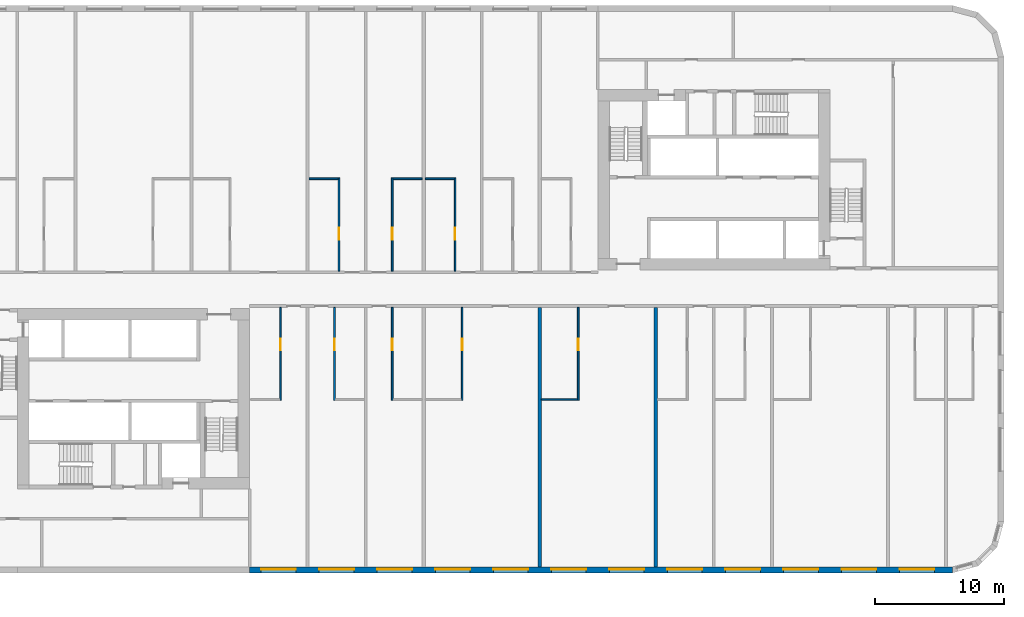
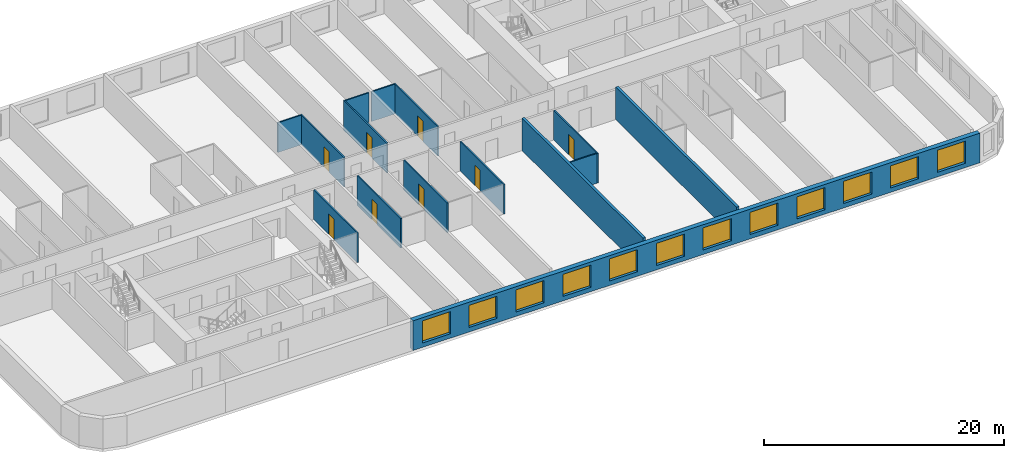
# One storey, part 4 of 12: 15 walls, 12 windows, 8 doors, 20 openings.
"""IFC4 building model written with IfcOpenShell, lengths in metres."""

from ifc_helpers import new_model, si_unit, direction, frame, frame_2d, origin, place, context, subcontext, project, spatial, rectangle, extrude, material, layer, layer_set, type_object, element, fill, save


model = new_model("IFC4")

# Units and contexts
model_context = context("Model", 3, precision=1e-05, world=origin(), true_north=direction((0.0, 1.0)))
body_context = subcontext(model_context, "Body", "Model", "MODEL_VIEW")
ifc_project = project(units=[si_unit("LENGTHUNIT", "METRE"), si_unit("AREAUNIT", "SQUARE_METRE"), si_unit("VOLUMEUNIT", "CUBIC_METRE"), si_unit("PLANEANGLEUNIT", "RADIAN"), si_unit("MASSUNIT", "GRAM", prefix="KILO")], contexts=[model_context])

# Site, building, storey
site_placement = place(None, origin())
site = spatial("IfcSite", under=ifc_project, at=site_placement, CompositionType="ELEMENT")
building_placement = place(site_placement, origin())
building = spatial("IfcBuilding", under=site, at=building_placement, Name="Kajstack Hotel Tower", CompositionType="ELEMENT")
storey_placement = place(building_placement, frame((0.0, 0.0, 76.5)))
storey = spatial("IfcBuildingStorey", under=building, at=storey_placement, Name="L14", CompositionType="ELEMENT", Elevation=76.5)

# Wall, openings, windows
ifc_material_1 = material(Name="Terracotta-faced brick masonry", Category="masonry")
ifc_layer_1 = layer(ifc_material_1, 0.449951171875)
ifc_layer_set_1 = layer_set([ifc_layer_1], Name="EW-TERRA")
wall_type_1 = type_object("IfcWallType", Name="EW-TERRA", PredefinedType="SOLIDWALL", material=ifc_layer_set_1)
wall_1_placement = place(storey_placement, frame((-13.5, -21.77490234375, 0.0), z_axis=(0.0, 0.0, 1.0), x_axis=(1.0, 0.0, 0.0)))
wall_1 = element("IfcWall", 1, at=wall_1_placement, inside=storey, type_object=wall_type_1, Name="E-wall-L14-03-02", PredefinedType="SOLIDWALL", context=body_context, shape_type="SweptSolid", body=[
    extrude(rectangle(XDim=54.5, YDim=0.449951171875, at=frame_2d((27.25, 0.0))), origin(), (0.0, 0.0, 1.0), 3.02001953125),
])
opening_1_placement = place(wall_1_placement, frame((0.89990234375, 0.0, 0.449951171875)))
opening_1 = element("IfcOpeningElement", 2, at=opening_1_placement, cuts=wall_1, Name="Opening W1", PredefinedType="OPENING", context=body_context, shape_type="SweptSolid", body=[
    extrude(rectangle(XDim=2.699951171875, YDim=2.25, at=frame_2d((1.35009765625, 1.125))), frame((0.0, 0.23486328125, 0.0), z_axis=(0.0, -1.0, 0.0), x_axis=(1.0, 0.0, 0.0)), (0.0, 0.0, 1.0), 0.469970703125),
])
opening_2_placement = place(wall_1_placement, frame((5.39990234375, 0.0, 0.449951171875)))
opening_2 = element("IfcOpeningElement", 3, at=opening_2_placement, cuts=wall_1, Name="Opening W1", PredefinedType="OPENING", context=body_context, shape_type="SweptSolid", body=[
    extrude(rectangle(XDim=2.699951171875, YDim=2.25, at=frame_2d((1.35009765625, 1.125))), frame((0.0, 0.23486328125, 0.0), z_axis=(0.0, -1.0, 0.0), x_axis=(1.0, 0.0, 0.0)), (0.0, 0.0, 1.0), 0.469970703125),
])
opening_3_placement = place(wall_1_placement, frame((9.89990234375, 0.0, 0.449951171875)))
opening_3 = element("IfcOpeningElement", 4, at=opening_3_placement, cuts=wall_1, Name="Opening W1", PredefinedType="OPENING", context=body_context, shape_type="SweptSolid", body=[
    extrude(rectangle(XDim=2.699951171875, YDim=2.25, at=frame_2d((1.35009765625, 1.125))), frame((0.0, 0.23486328125, 0.0), z_axis=(0.0, -1.0, 0.0), x_axis=(1.0, 0.0, 0.0)), (0.0, 0.0, 1.0), 0.469970703125),
])
opening_4_placement = place(wall_1_placement, frame((14.39990234375, 0.0, 0.449951171875)))
opening_4 = element("IfcOpeningElement", 5, at=opening_4_placement, cuts=wall_1, Name="Opening W1", PredefinedType="OPENING", context=body_context, shape_type="SweptSolid", body=[
    extrude(rectangle(XDim=2.699951171875, YDim=2.25, at=frame_2d((1.35009765625, 1.125))), frame((0.0, 0.23486328125, 0.0), z_axis=(0.0, -1.0, 0.0), x_axis=(1.0, 0.0, 0.0)), (0.0, 0.0, 1.0), 0.469970703125),
])
opening_5_placement = place(wall_1_placement, frame((18.89990234375, 0.0, 0.449951171875)))
opening_5 = element("IfcOpeningElement", 6, at=opening_5_placement, cuts=wall_1, Name="Opening W1", PredefinedType="OPENING", context=body_context, shape_type="SweptSolid", body=[
    extrude(rectangle(XDim=2.699951171875, YDim=2.25, at=frame_2d((1.35009765625, 1.125))), frame((0.0, 0.23486328125, 0.0), z_axis=(0.0, -1.0, 0.0), x_axis=(1.0, 0.0, 0.0)), (0.0, 0.0, 1.0), 0.469970703125),
])
opening_6_placement = place(wall_1_placement, frame((23.39990234375, 0.0, 0.449951171875)))
opening_6 = element("IfcOpeningElement", 7, at=opening_6_placement, cuts=wall_1, Name="Opening W1", PredefinedType="OPENING", context=body_context, shape_type="SweptSolid", body=[
    extrude(rectangle(XDim=2.699951171875, YDim=2.25, at=frame_2d((1.35009765625, 1.125))), frame((0.0, 0.23486328125, 0.0), z_axis=(0.0, -1.0, 0.0), x_axis=(1.0, 0.0, 0.0)), (0.0, 0.0, 1.0), 0.469970703125),
])
opening_7_placement = place(wall_1_placement, frame((27.89990234375, 0.0, 0.449951171875)))
opening_7 = element("IfcOpeningElement", 8, at=opening_7_placement, cuts=wall_1, Name="Opening W1", PredefinedType="OPENING", context=body_context, shape_type="SweptSolid", body=[
    extrude(rectangle(XDim=2.699951171875, YDim=2.25, at=frame_2d((1.35009765625, 1.125))), frame((0.0, 0.23486328125, 0.0), z_axis=(0.0, -1.0, 0.0), x_axis=(1.0, 0.0, 0.0)), (0.0, 0.0, 1.0), 0.469970703125),
])
opening_8_placement = place(wall_1_placement, frame((32.39990234375, 0.0, 0.449951171875)))
opening_8 = element("IfcOpeningElement", 9, at=opening_8_placement, cuts=wall_1, Name="Opening W1", PredefinedType="OPENING", context=body_context, shape_type="SweptSolid", body=[
    extrude(rectangle(XDim=2.699951171875, YDim=2.25, at=frame_2d((1.35009765625, 1.125))), frame((0.0, 0.23486328125, 0.0), z_axis=(0.0, -1.0, 0.0), x_axis=(1.0, 0.0, 0.0)), (0.0, 0.0, 1.0), 0.469970703125),
])
opening_9_placement = place(wall_1_placement, frame((36.89990234375, 0.0, 0.449951171875)))
opening_9 = element("IfcOpeningElement", 10, at=opening_9_placement, cuts=wall_1, Name="Opening W1", PredefinedType="OPENING", context=body_context, shape_type="SweptSolid", body=[
    extrude(rectangle(XDim=2.699951171875, YDim=2.25, at=frame_2d((1.35009765625, 1.125))), frame((0.0, 0.23486328125, 0.0), z_axis=(0.0, -1.0, 0.0), x_axis=(1.0, 0.0, 0.0)), (0.0, 0.0, 1.0), 0.469970703125),
])
opening_10_placement = place(wall_1_placement, frame((41.39990234375, 0.0, 0.449951171875)))
opening_10 = element("IfcOpeningElement", 11, at=opening_10_placement, cuts=wall_1, Name="Opening W1", PredefinedType="OPENING", context=body_context, shape_type="SweptSolid", body=[
    extrude(rectangle(XDim=2.699951171875, YDim=2.25, at=frame_2d((1.35009765625, 1.125))), frame((0.0, 0.23486328125, 0.0), z_axis=(0.0, -1.0, 0.0), x_axis=(1.0, 0.0, 0.0)), (0.0, 0.0, 1.0), 0.469970703125),
])
opening_11_placement = place(wall_1_placement, frame((45.89990234375, 0.0, 0.449951171875)))
opening_11 = element("IfcOpeningElement", 12, at=opening_11_placement, cuts=wall_1, Name="Opening W1", PredefinedType="OPENING", context=body_context, shape_type="SweptSolid", body=[
    extrude(rectangle(XDim=2.699951171875, YDim=2.25, at=frame_2d((1.35009765625, 1.125))), frame((0.0, 0.23486328125, 0.0), z_axis=(0.0, -1.0, 0.0), x_axis=(1.0, 0.0, 0.0)), (0.0, 0.0, 1.0), 0.469970703125),
])
opening_12_placement = place(wall_1_placement, frame((50.39990234375, 0.0, 0.449951171875)))
opening_12 = element("IfcOpeningElement", 13, at=opening_12_placement, cuts=wall_1, Name="Opening W1", PredefinedType="OPENING", context=body_context, shape_type="SweptSolid", body=[
    extrude(rectangle(XDim=2.699951171875, YDim=2.25, at=frame_2d((1.35009765625, 1.125))), frame((0.0, 0.23486328125, 0.0), z_axis=(0.0, -1.0, 0.0), x_axis=(1.0, 0.0, 0.0)), (0.0, 0.0, 1.0), 0.469970703125),
])
ifc_material_2 = material(Name="Timber-aluminium window, triple glazed", Category="wood")
window_type = type_object("IfcWindowType", Name="WG1", PartitioningType="SINGLE_PANEL", PredefinedType="WINDOW", material=ifc_material_2)
window_1_placement = place(opening_1_placement, origin())
window_1 = element("IfcWindow", 14, at=window_1_placement, inside=storey, type_object=window_type, Name="Window W1 L14-03", OverallHeight=2.25, OverallWidth=2.699951171875, PartitioningType="SINGLE_PANEL", PredefinedType="WINDOW", context=body_context, shape_type="SweptSolid", body=[
    extrude(rectangle(XDim=2.699951171875, YDim=2.25, at=frame_2d((1.35009765625, 1.125))), frame((0.0, 0.090087890625, 0.0), z_axis=(0.0, -1.0, 0.0), x_axis=(1.0, 0.0, 0.0)), (0.0, 0.0, 1.0), 0.06005859375),
])
fill(opening_1, window_1)
window_2_placement = place(opening_2_placement, origin())
window_2 = element("IfcWindow", 15, at=window_2_placement, inside=storey, type_object=window_type, Name="Window W1 L14-03", OverallHeight=2.25, OverallWidth=2.699951171875, PartitioningType="SINGLE_PANEL", PredefinedType="WINDOW", context=body_context, shape_type="SweptSolid", body=[
    extrude(rectangle(XDim=2.699951171875, YDim=2.25, at=frame_2d((1.35009765625, 1.125))), frame((0.0, 0.090087890625, 0.0), z_axis=(0.0, -1.0, 0.0), x_axis=(1.0, 0.0, 0.0)), (0.0, 0.0, 1.0), 0.06005859375),
])
fill(opening_2, window_2)
window_3_placement = place(opening_3_placement, origin())
window_3 = element("IfcWindow", 16, at=window_3_placement, inside=storey, type_object=window_type, Name="Window W1 L14-03", OverallHeight=2.25, OverallWidth=2.699951171875, PartitioningType="SINGLE_PANEL", PredefinedType="WINDOW", context=body_context, shape_type="SweptSolid", body=[
    extrude(rectangle(XDim=2.699951171875, YDim=2.25, at=frame_2d((1.35009765625, 1.125))), frame((0.0, 0.090087890625, 0.0), z_axis=(0.0, -1.0, 0.0), x_axis=(1.0, 0.0, 0.0)), (0.0, 0.0, 1.0), 0.06005859375),
])
fill(opening_3, window_3)
window_4_placement = place(opening_4_placement, origin())
window_4 = element("IfcWindow", 17, at=window_4_placement, inside=storey, type_object=window_type, Name="Window W1 L14-03", OverallHeight=2.25, OverallWidth=2.699951171875, PartitioningType="SINGLE_PANEL", PredefinedType="WINDOW", context=body_context, shape_type="SweptSolid", body=[
    extrude(rectangle(XDim=2.699951171875, YDim=2.25, at=frame_2d((1.35009765625, 1.125))), frame((0.0, 0.090087890625, 0.0), z_axis=(0.0, -1.0, 0.0), x_axis=(1.0, 0.0, 0.0)), (0.0, 0.0, 1.0), 0.06005859375),
])
fill(opening_4, window_4)
window_5_placement = place(opening_5_placement, origin())
window_5 = element("IfcWindow", 18, at=window_5_placement, inside=storey, type_object=window_type, Name="Window W1 L14-03", OverallHeight=2.25, OverallWidth=2.699951171875, PartitioningType="SINGLE_PANEL", PredefinedType="WINDOW", context=body_context, shape_type="SweptSolid", body=[
    extrude(rectangle(XDim=2.699951171875, YDim=2.25, at=frame_2d((1.35009765625, 1.125))), frame((0.0, 0.090087890625, 0.0), z_axis=(0.0, -1.0, 0.0), x_axis=(1.0, 0.0, 0.0)), (0.0, 0.0, 1.0), 0.06005859375),
])
fill(opening_5, window_5)
window_6_placement = place(opening_6_placement, origin())
window_6 = element("IfcWindow", 19, at=window_6_placement, inside=storey, type_object=window_type, Name="Window W1 L14-03", OverallHeight=2.25, OverallWidth=2.699951171875, PartitioningType="SINGLE_PANEL", PredefinedType="WINDOW", context=body_context, shape_type="SweptSolid", body=[
    extrude(rectangle(XDim=2.699951171875, YDim=2.25, at=frame_2d((1.35009765625, 1.125))), frame((0.0, 0.090087890625, 0.0), z_axis=(0.0, -1.0, 0.0), x_axis=(1.0, 0.0, 0.0)), (0.0, 0.0, 1.0), 0.06005859375),
])
fill(opening_6, window_6)
window_7_placement = place(opening_7_placement, origin())
window_7 = element("IfcWindow", 20, at=window_7_placement, inside=storey, type_object=window_type, Name="Window W1 L14-03", OverallHeight=2.25, OverallWidth=2.699951171875, PartitioningType="SINGLE_PANEL", PredefinedType="WINDOW", context=body_context, shape_type="SweptSolid", body=[
    extrude(rectangle(XDim=2.699951171875, YDim=2.25, at=frame_2d((1.35009765625, 1.125))), frame((0.0, 0.090087890625, 0.0), z_axis=(0.0, -1.0, 0.0), x_axis=(1.0, 0.0, 0.0)), (0.0, 0.0, 1.0), 0.06005859375),
])
fill(opening_7, window_7)
window_8_placement = place(opening_8_placement, origin())
window_8 = element("IfcWindow", 21, at=window_8_placement, inside=storey, type_object=window_type, Name="Window W1 L14-03", OverallHeight=2.25, OverallWidth=2.699951171875, PartitioningType="SINGLE_PANEL", PredefinedType="WINDOW", context=body_context, shape_type="SweptSolid", body=[
    extrude(rectangle(XDim=2.699951171875, YDim=2.25, at=frame_2d((1.35009765625, 1.125))), frame((0.0, 0.090087890625, 0.0), z_axis=(0.0, -1.0, 0.0), x_axis=(1.0, 0.0, 0.0)), (0.0, 0.0, 1.0), 0.06005859375),
])
fill(opening_8, window_8)
window_9_placement = place(opening_9_placement, origin())
window_9 = element("IfcWindow", 22, at=window_9_placement, inside=storey, type_object=window_type, Name="Window W1 L14-03", OverallHeight=2.25, OverallWidth=2.699951171875, PartitioningType="SINGLE_PANEL", PredefinedType="WINDOW", context=body_context, shape_type="SweptSolid", body=[
    extrude(rectangle(XDim=2.699951171875, YDim=2.25, at=frame_2d((1.35009765625, 1.125))), frame((0.0, 0.090087890625, 0.0), z_axis=(0.0, -1.0, 0.0), x_axis=(1.0, 0.0, 0.0)), (0.0, 0.0, 1.0), 0.06005859375),
])
fill(opening_9, window_9)
window_10_placement = place(opening_10_placement, origin())
window_10 = element("IfcWindow", 23, at=window_10_placement, inside=storey, type_object=window_type, Name="Window W1 L14-03", OverallHeight=2.25, OverallWidth=2.699951171875, PartitioningType="SINGLE_PANEL", PredefinedType="WINDOW", context=body_context, shape_type="SweptSolid", body=[
    extrude(rectangle(XDim=2.699951171875, YDim=2.25, at=frame_2d((1.35009765625, 1.125))), frame((0.0, 0.090087890625, 0.0), z_axis=(0.0, -1.0, 0.0), x_axis=(1.0, 0.0, 0.0)), (0.0, 0.0, 1.0), 0.06005859375),
])
fill(opening_10, window_10)
window_11_placement = place(opening_11_placement, origin())
window_11 = element("IfcWindow", 24, at=window_11_placement, inside=storey, type_object=window_type, Name="Window W1 L14-03", OverallHeight=2.25, OverallWidth=2.699951171875, PartitioningType="SINGLE_PANEL", PredefinedType="WINDOW", context=body_context, shape_type="SweptSolid", body=[
    extrude(rectangle(XDim=2.699951171875, YDim=2.25, at=frame_2d((1.35009765625, 1.125))), frame((0.0, 0.090087890625, 0.0), z_axis=(0.0, -1.0, 0.0), x_axis=(1.0, 0.0, 0.0)), (0.0, 0.0, 1.0), 0.06005859375),
])
fill(opening_11, window_11)
window_12_placement = place(opening_12_placement, origin())
window_12 = element("IfcWindow", 25, at=window_12_placement, inside=storey, type_object=window_type, Name="Window W1 L14-03", OverallHeight=2.25, OverallWidth=2.699951171875, PartitioningType="SINGLE_PANEL", PredefinedType="WINDOW", context=body_context, shape_type="SweptSolid", body=[
    extrude(rectangle(XDim=2.699951171875, YDim=2.25, at=frame_2d((1.35009765625, 1.125))), frame((0.0, 0.090087890625, 0.0), z_axis=(0.0, -1.0, 0.0), x_axis=(1.0, 0.0, 0.0)), (0.0, 0.0, 1.0), 0.06005859375),
])
fill(opening_12, window_12)

# Wall, opening, door
ifc_material_3 = material(Name="Gypsum board and tiled backer on steel studs", Category="steel")
ifc_layer_2 = layer(ifc_material_3, 0.125)
ifc_layer_set_2 = layer_set([ifc_layer_2], Name="En-suite wall 125")
wall_type_2 = type_object("IfcWallType", Name="En-suite wall 125", PredefinedType="PARTITIONING", material=ifc_layer_set_2)
wall_2_placement = place(storey_placement, frame((-6.56201171875, 1.39990234375, 0.0), z_axis=(0.0, 0.0, 1.0), x_axis=(0.0, 1.0, 0.0)))
wall_2 = element("IfcWall", 26, at=wall_2_placement, inside=storey, type_object=wall_type_2, Name="G-wall-L14-018", PredefinedType="PARTITIONING", context=body_context, shape_type="SweptSolid", body=[
    extrude(rectangle(XDim=7.22509765625, YDim=0.125, at=frame_2d((3.612548828125, 0.0))), origin(), (0.0, 0.0, 1.0), 3.02001953125),
])
opening_13_placement = place(wall_2_placement, frame((2.449951171875, 0.0, 0.0)))
opening_13 = element("IfcOpeningElement", 27, at=opening_13_placement, cuts=wall_2, Name="Opening 14014", PredefinedType="OPENING", context=body_context, shape_type="SweptSolid", body=[
    extrude(rectangle(XDim=0.89990234375, YDim=2.10009765625, at=frame_2d((0.449951171875, 1.050048828125))), frame((0.0, 0.072509765625, 0.0), z_axis=(0.0, -1.0, 0.0), x_axis=(1.0, 0.0, 0.0)), (0.0, 0.0, 1.0), 0.14501953125),
])
ifc_material_4 = material(Name="Painted timber door leaf", Category="wood")
door_type = type_object("IfcDoorType", Name="Room door 900", OperationType="SINGLE_SWING_LEFT", PredefinedType="DOOR", material=ifc_material_4)
door_1_placement = place(opening_13_placement, origin())
door_1 = element("IfcDoor", 28, at=door_1_placement, inside=storey, type_object=door_type, Name="G-door-L14-14", OperationType="SINGLE_SWING_LEFT", OverallHeight=2.10009765625, OverallWidth=0.89990234375, PredefinedType="DOOR", context=body_context, shape_type="SweptSolid", body=[
    extrude(rectangle(XDim=0.89990234375, YDim=2.10009765625, at=frame_2d((0.449951171875, 1.050048828125))), frame((0.0, 0.02490234375, 0.0), z_axis=(0.0, -1.0, 0.0), x_axis=(1.0, 0.0, 0.0)), (0.0, 0.0, 1.0), 0.050048828125),
])
fill(opening_13, door_1)

# Wall
wall_3_placement = place(storey_placement, frame((-8.875, 8.56201171875, 0.0), z_axis=(0.0, 0.0, 1.0), x_axis=(1.0, 0.0, 0.0)))
element("IfcWall", 29, at=wall_3_placement, inside=storey, type_object=wall_type_2, Name="G-wall-L14-019", PredefinedType="PARTITIONING", context=body_context, shape_type="SweptSolid", body=[
    extrude(rectangle(XDim=2.25, YDim=0.125, at=frame_2d((1.125, 0.0))), origin(), (0.0, 0.0, 1.0), 3.02001953125),
])

# Wall, opening, door
wall_4_placement = place(storey_placement, frame((-2.43798828125, 1.39990234375, 0.0), z_axis=(0.0, 0.0, 1.0), x_axis=(0.0, 1.0, 0.0)))
wall_4 = element("IfcWall", 30, at=wall_4_placement, inside=storey, type_object=wall_type_2, Name="G-wall-L14-020", PredefinedType="PARTITIONING", context=body_context, shape_type="SweptSolid", body=[
    extrude(rectangle(XDim=7.22509765625, YDim=0.125, at=frame_2d((3.612548828125, 0.0))), origin(), (0.0, 0.0, 1.0), 3.02001953125),
])
opening_14_placement = place(wall_4_placement, frame((2.449951171875, 0.0, 0.0)))
opening_14 = element("IfcOpeningElement", 31, at=opening_14_placement, cuts=wall_4, Name="Opening 14016", PredefinedType="OPENING", context=body_context, shape_type="SweptSolid", body=[
    extrude(rectangle(XDim=0.89990234375, YDim=2.10009765625, at=frame_2d((0.449951171875, 1.050048828125))), frame((0.0, 0.072509765625, 0.0), z_axis=(0.0, -1.0, 0.0), x_axis=(1.0, 0.0, 0.0)), (0.0, 0.0, 1.0), 0.14501953125),
])
door_2_placement = place(opening_14_placement, origin())
door_2 = element("IfcDoor", 32, at=door_2_placement, inside=storey, type_object=door_type, Name="G-door-L14-16", OperationType="SINGLE_SWING_LEFT", OverallHeight=2.10009765625, OverallWidth=0.89990234375, PredefinedType="DOOR", context=body_context, shape_type="SweptSolid", body=[
    extrude(rectangle(XDim=0.89990234375, YDim=2.10009765625, at=frame_2d((0.449951171875, 1.050048828125))), frame((0.0, 0.02490234375, 0.0), z_axis=(0.0, -1.0, 0.0), x_axis=(1.0, 0.0, 0.0)), (0.0, 0.0, 1.0), 0.050048828125),
])
fill(opening_14, door_2)

# Wall
wall_5_placement = place(storey_placement, frame((-2.375, 8.56201171875, 0.0), z_axis=(0.0, 0.0, 1.0), x_axis=(1.0, 0.0, 0.0)))
element("IfcWall", 33, at=wall_5_placement, inside=storey, type_object=wall_type_2, Name="G-wall-L14-021", PredefinedType="PARTITIONING", context=body_context, shape_type="SweptSolid", body=[
    extrude(rectangle(XDim=2.25, YDim=0.125, at=frame_2d((1.125, 0.0))), origin(), (0.0, 0.0, 1.0), 3.02001953125),
])

# Wall, opening, door
wall_6_placement = place(storey_placement, frame((2.43798828125, 1.39990234375, 0.0), z_axis=(0.0, 0.0, 1.0), x_axis=(0.0, 1.0, 0.0)))
wall_6 = element("IfcWall", 34, at=wall_6_placement, inside=storey, type_object=wall_type_2, Name="G-wall-L14-023", PredefinedType="PARTITIONING", context=body_context, shape_type="SweptSolid", body=[
    extrude(rectangle(XDim=7.22509765625, YDim=0.125, at=frame_2d((3.612548828125, 0.0))), origin(), (0.0, 0.0, 1.0), 3.02001953125),
])
opening_15_placement = place(wall_6_placement, frame((2.449951171875, 0.0, 0.0)))
opening_15 = element("IfcOpeningElement", 35, at=opening_15_placement, cuts=wall_6, Name="Opening 14018", PredefinedType="OPENING", context=body_context, shape_type="SweptSolid", body=[
    extrude(rectangle(XDim=0.89990234375, YDim=2.10009765625, at=frame_2d((0.449951171875, 1.050048828125))), frame((0.0, 0.072509765625, 0.0), z_axis=(0.0, -1.0, 0.0), x_axis=(1.0, 0.0, 0.0)), (0.0, 0.0, 1.0), 0.14501953125),
])
door_3_placement = place(opening_15_placement, origin())
door_3 = element("IfcDoor", 36, at=door_3_placement, inside=storey, type_object=door_type, Name="G-door-L14-18", OperationType="SINGLE_SWING_RIGHT", OverallHeight=2.10009765625, OverallWidth=0.89990234375, PredefinedType="DOOR", context=body_context, shape_type="SweptSolid", body=[
    extrude(rectangle(XDim=0.89990234375, YDim=2.10009765625, at=frame_2d((0.449951171875, 1.050048828125))), frame((0.0, 0.02490234375, 0.0), z_axis=(0.0, -1.0, 0.0), x_axis=(1.0, 0.0, 0.0)), (0.0, 0.0, 1.0), 0.050048828125),
])
fill(opening_15, door_3)

# Wall
wall_7_placement = place(storey_placement, frame((0.125, 8.56201171875, 0.0), z_axis=(0.0, 0.0, 1.0), x_axis=(1.0, 0.0, 0.0)))
element("IfcWall", 37, at=wall_7_placement, inside=storey, type_object=wall_type_2, Name="G-wall-L14-024", PredefinedType="PARTITIONING", context=body_context, shape_type="SweptSolid", body=[
    extrude(rectangle(XDim=2.25, YDim=0.125, at=frame_2d((1.125, 0.0))), origin(), (0.0, 0.0, 1.0), 3.02001953125),
])

# Wall, opening, door
wall_8_placement = place(storey_placement, frame((-11.087890625, -8.625, 0.0), z_axis=(0.0, 0.0, 1.0), x_axis=(0.0, 1.0, 0.0)))
wall_8 = element("IfcWall", 38, at=wall_8_placement, inside=storey, type_object=wall_type_2, Name="G-wall-L14-030", PredefinedType="PARTITIONING", context=body_context, shape_type="SweptSolid", body=[
    extrude(rectangle(XDim=7.22509765625, YDim=0.125, at=frame_2d((3.612548828125, 0.0))), origin(), (0.0, 0.0, 1.0), 3.02001953125),
])
opening_16_placement = place(wall_8_placement, frame((3.875, 0.0, 0.0)))
opening_16 = element("IfcOpeningElement", 39, at=opening_16_placement, cuts=wall_8, Name="Opening 14024", PredefinedType="OPENING", context=body_context, shape_type="SweptSolid", body=[
    extrude(rectangle(XDim=0.89990234375, YDim=2.10009765625, at=frame_2d((0.449951171875, 1.050048828125))), frame((0.0, 0.072509765625, 0.0), z_axis=(0.0, -1.0, 0.0), x_axis=(1.0, 0.0, 0.0)), (0.0, 0.0, 1.0), 0.14501953125),
])
door_4_placement = place(opening_16_placement, origin())
door_4 = element("IfcDoor", 40, at=door_4_placement, inside=storey, type_object=door_type, Name="G-door-L14-24", OperationType="SINGLE_SWING_LEFT", OverallHeight=2.10009765625, OverallWidth=0.89990234375, PredefinedType="DOOR", context=body_context, shape_type="SweptSolid", body=[
    extrude(rectangle(XDim=0.89990234375, YDim=2.10009765625, at=frame_2d((0.449951171875, 1.050048828125))), frame((0.0, 0.02490234375, 0.0), z_axis=(0.0, -1.0, 0.0), x_axis=(1.0, 0.0, 0.0)), (0.0, 0.0, 1.0), 0.050048828125),
])
fill(opening_16, door_4)

wall_9_placement = place(storey_placement, frame((-6.912109375, -8.625, 0.0), z_axis=(0.0, 0.0, 1.0), x_axis=(0.0, 1.0, 0.0)))
wall_9 = element("IfcWall", 41, at=wall_9_placement, inside=storey, type_object=wall_type_2, Name="G-wall-L14-033", PredefinedType="PARTITIONING", context=body_context, shape_type="SweptSolid", body=[
    extrude(rectangle(XDim=7.22509765625, YDim=0.125, at=frame_2d((3.612548828125, 0.0))), origin(), (0.0, 0.0, 1.0), 3.02001953125),
])
opening_17_placement = place(wall_9_placement, frame((3.875, 0.0, 0.0)))
opening_17 = element("IfcOpeningElement", 42, at=opening_17_placement, cuts=wall_9, Name="Opening 14026", PredefinedType="OPENING", context=body_context, shape_type="SweptSolid", body=[
    extrude(rectangle(XDim=0.89990234375, YDim=2.10009765625, at=frame_2d((0.449951171875, 1.050048828125))), frame((0.0, 0.072509765625, 0.0), z_axis=(0.0, -1.0, 0.0), x_axis=(1.0, 0.0, 0.0)), (0.0, 0.0, 1.0), 0.14501953125),
])
door_5_placement = place(opening_17_placement, origin())
door_5 = element("IfcDoor", 43, at=door_5_placement, inside=storey, type_object=door_type, Name="G-door-L14-26", OperationType="SINGLE_SWING_RIGHT", OverallHeight=2.10009765625, OverallWidth=0.89990234375, PredefinedType="DOOR", context=body_context, shape_type="SweptSolid", body=[
    extrude(rectangle(XDim=0.89990234375, YDim=2.10009765625, at=frame_2d((0.449951171875, 1.050048828125))), frame((0.0, 0.02490234375, 0.0), z_axis=(0.0, -1.0, 0.0), x_axis=(1.0, 0.0, 0.0)), (0.0, 0.0, 1.0), 0.050048828125),
])
fill(opening_17, door_5)

wall_10_placement = place(storey_placement, frame((-2.43798828125, -8.625, 0.0), z_axis=(0.0, 0.0, 1.0), x_axis=(0.0, 1.0, 0.0)))
wall_10 = element("IfcWall", 44, at=wall_10_placement, inside=storey, type_object=wall_type_2, Name="G-wall-L14-035", PredefinedType="PARTITIONING", context=body_context, shape_type="SweptSolid", body=[
    extrude(rectangle(XDim=7.22509765625, YDim=0.125, at=frame_2d((3.612548828125, 0.0))), origin(), (0.0, 0.0, 1.0), 3.02001953125),
])
opening_18_placement = place(wall_10_placement, frame((3.875, 0.0, 0.0)))
opening_18 = element("IfcOpeningElement", 45, at=opening_18_placement, cuts=wall_10, Name="Opening 14028", PredefinedType="OPENING", context=body_context, shape_type="SweptSolid", body=[
    extrude(rectangle(XDim=0.89990234375, YDim=2.10009765625, at=frame_2d((0.449951171875, 1.050048828125))), frame((0.0, 0.072509765625, 0.0), z_axis=(0.0, -1.0, 0.0), x_axis=(1.0, 0.0, 0.0)), (0.0, 0.0, 1.0), 0.14501953125),
])
door_6_placement = place(opening_18_placement, origin())
door_6 = element("IfcDoor", 46, at=door_6_placement, inside=storey, type_object=door_type, Name="G-door-L14-28", OperationType="SINGLE_SWING_RIGHT", OverallHeight=2.10009765625, OverallWidth=0.89990234375, PredefinedType="DOOR", context=body_context, shape_type="SweptSolid", body=[
    extrude(rectangle(XDim=0.89990234375, YDim=2.10009765625, at=frame_2d((0.449951171875, 1.050048828125))), frame((0.0, 0.02490234375, 0.0), z_axis=(0.0, -1.0, 0.0), x_axis=(1.0, 0.0, 0.0)), (0.0, 0.0, 1.0), 0.050048828125),
])
fill(opening_18, door_6)

wall_11_placement = place(storey_placement, frame((2.987060546875, -8.625, 0.0), z_axis=(0.0, 0.0, 1.0), x_axis=(0.0, 1.0, 0.0)))
wall_11 = element("IfcWall", 47, at=wall_11_placement, inside=storey, type_object=wall_type_2, Name="G-wall-L14-037", PredefinedType="PARTITIONING", context=body_context, shape_type="SweptSolid", body=[
    extrude(rectangle(XDim=7.22509765625, YDim=0.125, at=frame_2d((3.612548828125, 0.0))), origin(), (0.0, 0.0, 1.0), 3.02001953125),
])
opening_19_placement = place(wall_11_placement, frame((3.875, 0.0, 0.0)))
opening_19 = element("IfcOpeningElement", 48, at=opening_19_placement, cuts=wall_11, Name="Opening 14030", PredefinedType="OPENING", context=body_context, shape_type="SweptSolid", body=[
    extrude(rectangle(XDim=0.89990234375, YDim=2.10009765625, at=frame_2d((0.449951171875, 1.050048828125))), frame((0.0, 0.072509765625, 0.0), z_axis=(0.0, -1.0, 0.0), x_axis=(1.0, 0.0, 0.0)), (0.0, 0.0, 1.0), 0.14501953125),
])
door_7_placement = place(opening_19_placement, origin())
door_7 = element("IfcDoor", 49, at=door_7_placement, inside=storey, type_object=door_type, Name="G-door-L14-30", OperationType="SINGLE_SWING_LEFT", OverallHeight=2.10009765625, OverallWidth=0.89990234375, PredefinedType="DOOR", context=body_context, shape_type="SweptSolid", body=[
    extrude(rectangle(XDim=0.89990234375, YDim=2.10009765625, at=frame_2d((0.449951171875, 1.050048828125))), frame((0.0, 0.02490234375, 0.0), z_axis=(0.0, -1.0, 0.0), x_axis=(1.0, 0.0, 0.0)), (0.0, 0.0, 1.0), 0.050048828125),
])
fill(opening_19, door_7)

wall_12_placement = place(storey_placement, frame((11.988037109375, -8.625, 0.0), z_axis=(0.0, 0.0, 1.0), x_axis=(0.0, 1.0, 0.0)))
wall_12 = element("IfcWall", 50, at=wall_12_placement, inside=storey, type_object=wall_type_2, Name="G-wall-L14-039", PredefinedType="PARTITIONING", context=body_context, shape_type="SweptSolid", body=[
    extrude(rectangle(XDim=7.22509765625, YDim=0.125, at=frame_2d((3.612548828125, 0.0))), origin(), (0.0, 0.0, 1.0), 3.02001953125),
])
opening_20_placement = place(wall_12_placement, frame((3.875, 0.0, 0.0)))
opening_20 = element("IfcOpeningElement", 51, at=opening_20_placement, cuts=wall_12, Name="Opening 14032", PredefinedType="OPENING", context=body_context, shape_type="SweptSolid", body=[
    extrude(rectangle(XDim=0.89990234375, YDim=2.10009765625, at=frame_2d((0.449951171875, 1.050048828125))), frame((0.0, 0.072509765625, 0.0), z_axis=(0.0, -1.0, 0.0), x_axis=(1.0, 0.0, 0.0)), (0.0, 0.0, 1.0), 0.14501953125),
])
door_8_placement = place(opening_20_placement, origin())
door_8 = element("IfcDoor", 52, at=door_8_placement, inside=storey, type_object=door_type, Name="G-door-L14-32", OperationType="SINGLE_SWING_RIGHT", OverallHeight=2.10009765625, OverallWidth=0.89990234375, PredefinedType="DOOR", context=body_context, shape_type="SweptSolid", body=[
    extrude(rectangle(XDim=0.89990234375, YDim=2.10009765625, at=frame_2d((0.449951171875, 1.050048828125))), frame((0.0, 0.02490234375, 0.0), z_axis=(0.0, -1.0, 0.0), x_axis=(1.0, 0.0, 0.0)), (0.0, 0.0, 1.0), 0.050048828125),
])
fill(opening_20, door_8)

# Walls
wall_13_placement = place(storey_placement, frame((9.125, -8.56201171875, 0.0), z_axis=(0.0, 0.0, 1.0), x_axis=(1.0, 0.0, 0.0)))
element("IfcWall", 53, at=wall_13_placement, inside=storey, type_object=wall_type_2, Name="G-wall-L14-040", PredefinedType="PARTITIONING", context=body_context, shape_type="SweptSolid", body=[
    extrude(rectangle(XDim=2.800048828125, YDim=0.125, at=frame_2d((1.39990234375, 0.0))), origin(), (0.0, 0.0, 1.0), 3.02001953125),
])
ifc_material_5 = material(Name="Concrete C60/75", Category="concrete")
ifc_layer_3 = layer(ifc_material_5, 0.25)
ifc_layer_set_3 = layer_set([ifc_layer_3], Name="RC cross wall 250 C60/75")
wall_type_3 = type_object("IfcWallType", Name="RC cross wall 250 C60/75", PredefinedType="SHEAR", material=ifc_layer_set_3)
for number, where, z_axis, x_axis, name in (
    (54, (9.0, -21.5400390625, 0.0), (0.0, 0.0, 1.0), (0.0, 1.0, 0.0), "S-wall-L14-09"),
    (55, (18.0, -21.5400390625, 0.0), (0.0, 0.0, 1.0), (0.0, 1.0, 0.0), "S-wall-L14-11"),
):
    element("IfcWall", number, at=place(storey_placement, frame(where, z_axis=z_axis, x_axis=x_axis)), inside=storey, type_object=wall_type_3, Name=name, PredefinedType="SHEAR", context=body_context, shape_type="SweptSolid", body=[
        extrude(rectangle(XDim=20.14013671875, YDim=0.25, at=frame_2d((10.070068359375, 0.0))), origin(), (0.0, 0.0, 1.0), 3.300048828125),
    ])

save(model, "model.ifc")
